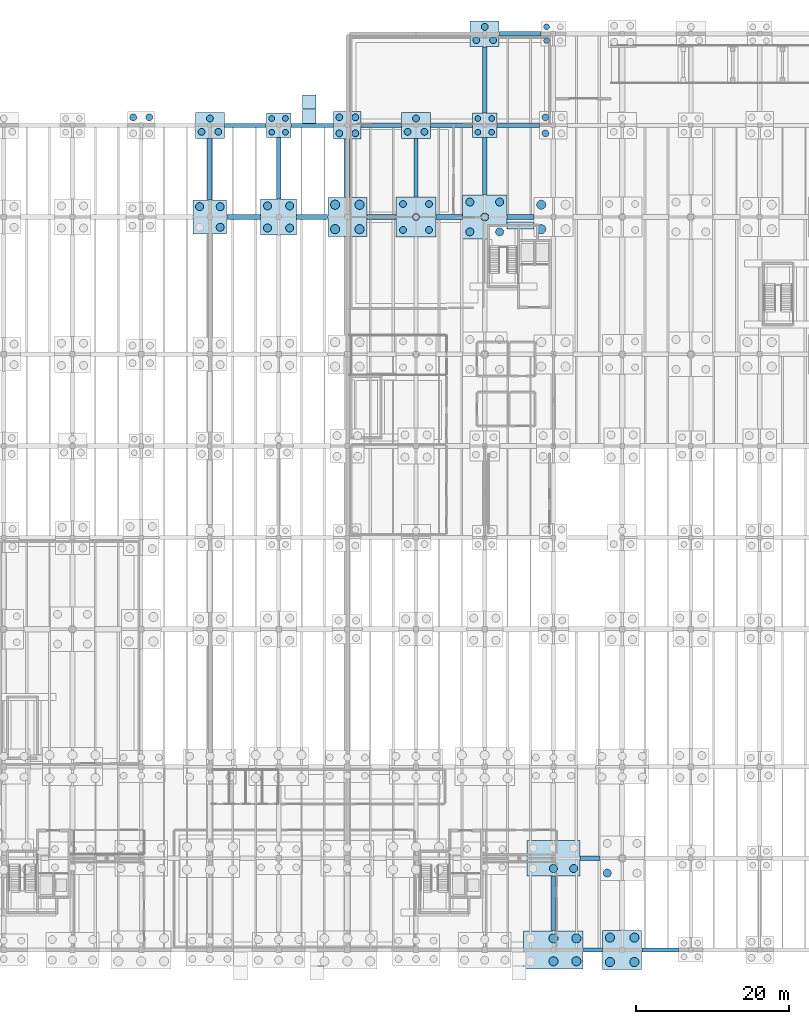
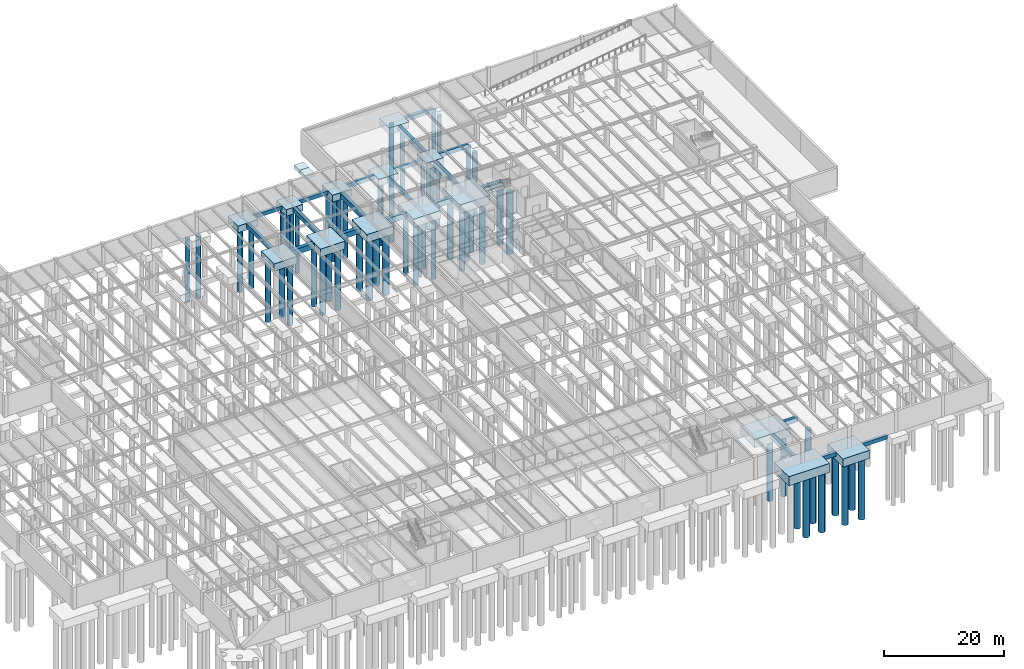
# One storey, part 9 of 40: 61 piles, 38 footings.
"""IFC4 building model written with IfcOpenShell, lengths in metres."""

from ifc_helpers import new_model, si_unit, direction, frame, origin, origin_2d, place, context, subcontext, project, spatial, polyline, rectangle, circle, outline, extrude, material, material_profile, profile_set, type_object, element, save


model = new_model("IFC4")

# Units and contexts
model_context = context("Model", 3, precision=1e-05, world=origin(), true_north=direction((0.0, 1.0)))
body_context = subcontext(model_context, "Body", "Model", "MODEL_VIEW")
ifc_project = project(units=[si_unit("LENGTHUNIT", "METRE"), si_unit("AREAUNIT", "SQUARE_METRE"), si_unit("VOLUMEUNIT", "CUBIC_METRE"), si_unit("PLANEANGLEUNIT", "RADIAN"), si_unit("MASSUNIT", "GRAM", prefix="KILO")], contexts=[model_context])

# Site, building, storey
site_placement = place(None, origin())
site = spatial("IfcSite", under=ifc_project, at=site_placement, CompositionType="ELEMENT")
building_placement = place(site_placement, origin())
building = spatial("IfcBuilding", under=site, at=building_placement, Name="Montelvaro Courts of Justice", CompositionType="ELEMENT")
storey_placement = place(building_placement, frame((0.0, 0.0, -4.5)))
storey = spatial("IfcBuildingStorey", under=building, at=storey_placement, Name="B01", CompositionType="ELEMENT", Elevation=-4.5)

# Piles
ifc_material = material(Name="Concrete C35/45", Category="concrete")
ifc_material_profile_1 = material_profile(ifc_material, circle(Radius=0.52490234375, at=origin_2d()), Name="BORED PILE D1050")
ifc_profile_set_1 = profile_set([ifc_material_profile_1], Name="Concrete C35/45")
pile_type_1 = type_object("IfcPileType", Name="BoredPile_1050", PredefinedType="BORED", material=ifc_profile_set_1)
for number, where, z_axis, x_axis, name in (
    (1, (82.35009765625, 94.64990234375, -1.39990234375), (0.0, 0.0, -1.0), (1.0, 0.0, 0.0), "Bored Pile BP-03 10/H-2"),
    (2, (79.64990234375, 97.35009765625, -1.39990234375), (0.0, 0.0, -1.0), (1.0, 0.0, 0.0), "Bored Pile BP-03 10/H-3"),
    (3, (82.35009765625, 97.35009765625, -1.39990234375), (0.0, 0.0, -1.0), (1.0, 0.0, 0.0), "Bored Pile BP-03 10/H-4"),
):
    element("IfcPile", number, at=place(storey_placement, frame(where, z_axis=z_axis, x_axis=x_axis)), inside=storey, type_object=pile_type_1, Name=name, PredefinedType="BORED", context=body_context, shape_type="SweptSolid", body=[
        extrude(circle(Radius=0.52490234375, at=origin_2d()), origin(), (0.0, 0.0, 1.0), 12.60009765625),
    ])
for number, where, z_axis, x_axis, name in (
    (4, (88.550048828125, 94.550048828125, -1.5), (0.0, 0.0, -1.0), (1.0, 0.0, 0.0), "Bored Pile BP-03 11/H-1"),
    (5, (91.449951171875, 94.550048828125, -1.5), (0.0, 0.0, -1.0), (1.0, 0.0, 0.0), "Bored Pile BP-03 11/H-2"),
    (6, (88.550048828125, 97.449951171875, -1.5), (0.0, 0.0, -1.0), (1.0, 0.0, 0.0), "Bored Pile BP-03 11/H-3"),
    (7, (91.449951171875, 97.449951171875, -1.5), (0.0, 0.0, -1.0), (1.0, 0.0, 0.0), "Bored Pile BP-03 11/H-4"),
):
    element("IfcPile", number, at=place(storey_placement, frame(where, z_axis=z_axis, x_axis=x_axis)), inside=storey, type_object=pile_type_1, Name=name, PredefinedType="BORED", context=body_context, shape_type="SweptSolid", body=[
        extrude(circle(Radius=0.52490234375, at=origin_2d()), origin(), (0.0, 0.0, 1.0), 12.5),
    ])
for number, where, z_axis, x_axis, name in (
    (8, (115.050048828125, 94.050048828125, -1.60009765625), (0.0, 0.0, -1.0), (1.0, 0.0, 0.0), "Bored Pile BP-03 14/H-1"),
    (9, (118.949951171875, 94.050048828125, -1.60009765625), (0.0, 0.0, -1.0), (1.0, 0.0, 0.0), "Bored Pile BP-03 14/H-2"),
    (10, (117.0, 96.0, -1.60009765625), (0.0, 0.0, -1.0), (1.0, 0.0, 0.0), "Bored Pile BP-03 14/H-3"),
    (11, (115.050048828125, 97.949951171875, -1.60009765625), (0.0, 0.0, -1.0), (1.0, 0.0, 0.0), "Bored Pile BP-03 14/H-4"),
    (12, (118.949951171875, 97.949951171875, -1.60009765625), (0.0, 0.0, -1.0), (1.0, 0.0, 0.0), "Bored Pile BP-03 14/H-5"),
):
    element("IfcPile", number, at=place(storey_placement, frame(where, z_axis=z_axis, x_axis=x_axis)), inside=storey, type_object=pile_type_1, Name=name, PredefinedType="BORED", context=body_context, shape_type="SweptSolid", body=[
        extrude(circle(Radius=0.52490234375, at=origin_2d()), origin(), (0.0, 0.0, 1.0), 12.39990234375),
    ])
for number, where, z_axis, x_axis, name in (
    (13, (126.0, 10.64990234375, -1.64990234375), (0.0, 0.0, -1.0), (1.0, 0.0, 0.0), "Bored Pile BP-03 15/B-2"),
    (14, (128.64990234375, 10.64990234375, -1.64990234375), (0.0, 0.0, -1.0), (1.0, 0.0, 0.0), "Bored Pile BP-03 15/B-3"),
):
    element("IfcPile", number, at=place(storey_placement, frame(where, z_axis=z_axis, x_axis=x_axis)), inside=storey, type_object=pile_type_1, Name=name, PredefinedType="BORED", context=body_context, shape_type="SweptSolid", body=[
        extrude(circle(Radius=0.52490234375, at=origin_2d()), origin(), (0.0, 0.0, 1.0), 12.35009765625),
    ])
pile_placement = place(storey_placement, frame((133.050048828125, 10.050048828125, -1.60009765625), z_axis=(0.0, 0.0, -1.0), x_axis=(1.0, 0.0, 0.0)))
element("IfcPile", 15, at=pile_placement, inside=storey, type_object=pile_type_1, Name="Bored Pile BP-03 16/B-1", PredefinedType="BORED", context=body_context, shape_type="SweptSolid", body=[
    extrude(circle(Radius=0.52490234375, at=origin_2d()), origin(), (0.0, 0.0, 1.0), 12.39990234375),
])
ifc_material_profile_2 = material_profile(ifc_material, circle(Radius=0.60009765625, at=origin_2d()), Name="BORED PILE D1200")
ifc_profile_set_2 = profile_set([ifc_material_profile_2], Name="Concrete C35/45")
pile_type_2 = type_object("IfcPileType", Name="BoredPile_1200", PredefinedType="BORED", material=ifc_profile_set_2)
for number, where, z_axis, x_axis, name in (
    (16, (97.39990234375, 94.39990234375, -1.550048828125), (0.0, 0.0, -1.0), (1.0, 0.0, 0.0), "Bored Pile BP-04 12/H-1"),
    (17, (100.60009765625, 94.39990234375, -1.550048828125), (0.0, 0.0, -1.0), (1.0, 0.0, 0.0), "Bored Pile BP-04 12/H-2"),
    (18, (97.39990234375, 97.60009765625, -1.550048828125), (0.0, 0.0, -1.0), (1.0, 0.0, 0.0), "Bored Pile BP-04 12/H-3"),
    (19, (100.60009765625, 97.60009765625, -1.550048828125), (0.0, 0.0, -1.0), (1.0, 0.0, 0.0), "Bored Pile BP-04 12/H-4"),
):
    element("IfcPile", number, at=place(storey_placement, frame(where, z_axis=z_axis, x_axis=x_axis)), inside=storey, type_object=pile_type_2, Name=name, PredefinedType="BORED", context=body_context, shape_type="SweptSolid", body=[
        extrude(circle(Radius=0.60009765625, at=origin_2d()), origin(), (0.0, 0.0, 1.0), 12.449951171875),
    ])
for number, where, z_axis, x_axis, name in (
    (20, (126.0, -1.5, -1.75), (0.0, 0.0, -1.0), (1.0, 0.0, 0.0), "Bored Pile BP-04 15/A-2"),
    (21, (129.0, -1.5, -1.75), (0.0, 0.0, -1.0), (1.0, 0.0, 0.0), "Bored Pile BP-04 15/A-3"),
    (22, (126.0, 1.5, -1.75), (0.0, 0.0, -1.0), (1.0, 0.0, 0.0), "Bored Pile BP-04 15/A-5"),
    (23, (129.0, 1.5, -1.75), (0.0, 0.0, -1.0), (1.0, 0.0, 0.0), "Bored Pile BP-04 15/A-6"),
):
    element("IfcPile", number, at=place(storey_placement, frame(where, z_axis=z_axis, x_axis=x_axis)), inside=storey, type_object=pile_type_2, Name=name, PredefinedType="BORED", context=body_context, shape_type="SweptSolid", body=[
        extrude(circle(Radius=0.60009765625, at=origin_2d()), origin(), (0.0, 0.0, 1.0), 12.25),
    ])
for number, where, z_axis, x_axis, name in (
    (24, (124.39990234375, 94.39990234375, -1.550048828125), (0.0, 0.0, -1.0), (1.0, 0.0, 0.0), "Bored Pile BP-04 15/H-1"),
    (25, (124.39990234375, 97.60009765625, -1.550048828125), (0.0, 0.0, -1.0), (1.0, 0.0, 0.0), "Bored Pile BP-04 15/H-3"),
    (26, (133.39990234375, -1.60009765625, -1.550048828125), (0.0, 0.0, -1.0), (1.0, 0.0, 0.0), "Bored Pile BP-04 16/A-1"),
    (27, (136.60009765625, -1.60009765625, -1.550048828125), (0.0, 0.0, -1.0), (1.0, 0.0, 0.0), "Bored Pile BP-04 16/A-2"),
    (28, (133.39990234375, 1.60009765625, -1.550048828125), (0.0, 0.0, -1.0), (1.0, 0.0, 0.0), "Bored Pile BP-04 16/A-3"),
    (29, (136.60009765625, 1.60009765625, -1.550048828125), (0.0, 0.0, -1.0), (1.0, 0.0, 0.0), "Bored Pile BP-04 16/A-4"),
):
    element("IfcPile", number, at=place(storey_placement, frame(where, z_axis=z_axis, x_axis=x_axis)), inside=storey, type_object=pile_type_2, Name=name, PredefinedType="BORED", context=body_context, shape_type="SweptSolid", body=[
        extrude(circle(Radius=0.60009765625, at=origin_2d()), origin(), (0.0, 0.0, 1.0), 12.449951171875),
    ])
ifc_material_profile_3 = material_profile(ifc_material, circle(Radius=0.375, at=origin_2d()), Name="BORED PILE D750")
ifc_profile_set_3 = profile_set([ifc_material_profile_3], Name="Concrete C35/45")
pile_type_3 = type_object("IfcPileType", Name="BoredPile_750", PredefinedType="BORED", material=ifc_profile_set_3)
for number, where, z_axis, x_axis, name in (
    (30, (89.10009765625, 107.10009765625, -1.199951171875), (0.0, 0.0, -1.0), (1.0, 0.0, 0.0), "Bored Pile BP-01 11/I-1"),
    (31, (90.89990234375, 107.10009765625, -1.199951171875), (0.0, 0.0, -1.0), (1.0, 0.0, 0.0), "Bored Pile BP-01 11/I-2"),
    (32, (89.10009765625, 108.89990234375, -1.199951171875), (0.0, 0.0, -1.0), (1.0, 0.0, 0.0), "Bored Pile BP-01 11/I-3"),
    (33, (90.89990234375, 108.89990234375, -1.199951171875), (0.0, 0.0, -1.0), (1.0, 0.0, 0.0), "Bored Pile BP-01 11/I-4"),
    (34, (116.10009765625, 107.10009765625, -1.199951171875), (0.0, 0.0, -1.0), (1.0, 0.0, 0.0), "Bored Pile BP-01 14/I-1"),
    (35, (117.89990234375, 107.10009765625, -1.199951171875), (0.0, 0.0, -1.0), (1.0, 0.0, 0.0), "Bored Pile BP-01 14/I-2"),
    (36, (116.10009765625, 108.89990234375, -1.199951171875), (0.0, 0.0, -1.0), (1.0, 0.0, 0.0), "Bored Pile BP-01 14/I-3"),
    (37, (117.89990234375, 108.89990234375, -1.199951171875), (0.0, 0.0, -1.0), (1.0, 0.0, 0.0), "Bored Pile BP-01 14/I-4"),
    (38, (125.10009765625, 119.10009765625, -1.199951171875), (0.0, 0.0, -1.0), (1.0, 0.0, 0.0), "Bored Pile BP-01 15/J-1"),
    (39, (125.10009765625, 120.89990234375, -1.199951171875), (0.0, 0.0, -1.0), (1.0, 0.0, 0.0), "Bored Pile BP-01 15/J-3"),
):
    element("IfcPile", number, at=place(storey_placement, frame(where, z_axis=z_axis, x_axis=x_axis)), inside=storey, type_object=pile_type_3, Name=name, PredefinedType="BORED", context=body_context, shape_type="SweptSolid", body=[
        extrude(circle(Radius=0.375, at=origin_2d()), origin(), (0.0, 0.0, 1.0), 12.800048828125),
    ])
ifc_material_profile_4 = material_profile(ifc_material, circle(Radius=0.449951171875, at=origin_2d()), Name="BORED PILE D900")
ifc_profile_set_4 = profile_set([ifc_material_profile_4], Name="Concrete C35/45")
pile_type_4 = type_object("IfcPileType", Name="BoredPile_900", PredefinedType="BORED", material=ifc_profile_set_4)
for number, where, z_axis, x_axis, name in (
    (40, (70.949951171875, 109.050048828125, -1.300048828125), (0.0, 0.0, -1.0), (1.0, 0.0, 0.0), "Bored Pile BP-02 9/I-3"),
    (41, (73.050048828125, 109.050048828125, -1.300048828125), (0.0, 0.0, -1.0), (1.0, 0.0, 0.0), "Bored Pile BP-02 9/I-4"),
):
    element("IfcPile", number, at=place(storey_placement, frame(where, z_axis=z_axis, x_axis=x_axis)), inside=storey, type_object=pile_type_4, Name=name, PredefinedType="BORED", context=body_context, shape_type="SweptSolid", body=[
        extrude(circle(Radius=0.449951171875, at=origin_2d()), origin(), (0.0, 0.0, 1.0), 12.699951171875),
    ])
for number, where, z_axis, x_axis, name in (
    (42, (79.89990234375, 107.14990234375, -1.25), (0.0, 0.0, -1.0), (1.0, 0.0, 0.0), "Bored Pile BP-02 10/I-1"),
    (43, (82.10009765625, 107.14990234375, -1.25), (0.0, 0.0, -1.0), (1.0, 0.0, 0.0), "Bored Pile BP-02 10/I-2"),
    (44, (81.0, 108.89990234375, -1.25), (0.0, 0.0, -1.0), (1.0, 0.0, 0.0), "Bored Pile BP-02 10/I-3"),
):
    element("IfcPile", number, at=place(storey_placement, frame(where, z_axis=z_axis, x_axis=x_axis)), inside=storey, type_object=pile_type_4, Name=name, PredefinedType="BORED", context=body_context, shape_type="SweptSolid", body=[
        extrude(circle(Radius=0.449951171875, at=origin_2d()), origin(), (0.0, 0.0, 1.0), 12.75),
    ])
for number, where, z_axis, x_axis, name in (
    (45, (97.949951171875, 106.949951171875, -1.300048828125), (0.0, 0.0, -1.0), (1.0, 0.0, 0.0), "Bored Pile BP-02 12/I-1"),
    (46, (100.050048828125, 106.949951171875, -1.300048828125), (0.0, 0.0, -1.0), (1.0, 0.0, 0.0), "Bored Pile BP-02 12/I-2"),
    (47, (97.949951171875, 109.050048828125, -1.300048828125), (0.0, 0.0, -1.0), (1.0, 0.0, 0.0), "Bored Pile BP-02 12/I-3"),
    (48, (100.050048828125, 109.050048828125, -1.300048828125), (0.0, 0.0, -1.0), (1.0, 0.0, 0.0), "Bored Pile BP-02 12/I-4"),
):
    element("IfcPile", number, at=place(storey_placement, frame(where, z_axis=z_axis, x_axis=x_axis)), inside=storey, type_object=pile_type_4, Name=name, PredefinedType="BORED", context=body_context, shape_type="SweptSolid", body=[
        extrude(circle(Radius=0.449951171875, at=origin_2d()), origin(), (0.0, 0.0, 1.0), 12.699951171875),
    ])
for number, where, z_axis, x_axis, name in (
    (49, (106.300048828125, 94.300048828125, -1.5), (0.0, 0.0, -1.0), (1.0, 0.0, 0.0), "Bored Pile BP-02 13/H-1"),
    (50, (109.699951171875, 94.300048828125, -1.5), (0.0, 0.0, -1.0), (1.0, 0.0, 0.0), "Bored Pile BP-02 13/H-2"),
    (51, (108.0, 96.0, -1.5), (0.0, 0.0, -1.0), (1.0, 0.0, 0.0), "Bored Pile BP-02 13/H-3"),
    (52, (106.300048828125, 97.699951171875, -1.5), (0.0, 0.0, -1.0), (1.0, 0.0, 0.0), "Bored Pile BP-02 13/H-4"),
    (53, (109.699951171875, 97.699951171875, -1.5), (0.0, 0.0, -1.0), (1.0, 0.0, 0.0), "Bored Pile BP-02 13/H-5"),
):
    element("IfcPile", number, at=place(storey_placement, frame(where, z_axis=z_axis, x_axis=x_axis)), inside=storey, type_object=pile_type_4, Name=name, PredefinedType="BORED", context=body_context, shape_type="SweptSolid", body=[
        extrude(circle(Radius=0.449951171875, at=origin_2d()), origin(), (0.0, 0.0, 1.0), 12.5),
    ])
for number, where, z_axis, x_axis, name in (
    (54, (106.89990234375, 107.14990234375, -1.25), (0.0, 0.0, -1.0), (1.0, 0.0, 0.0), "Bored Pile BP-02 13/I-1"),
    (55, (109.10009765625, 107.14990234375, -1.25), (0.0, 0.0, -1.0), (1.0, 0.0, 0.0), "Bored Pile BP-02 13/I-2"),
    (56, (108.0, 108.89990234375, -1.25), (0.0, 0.0, -1.0), (1.0, 0.0, 0.0), "Bored Pile BP-02 13/I-3"),
    (57, (115.89990234375, 119.14990234375, -1.25), (0.0, 0.0, -1.0), (1.0, 0.0, 0.0), "Bored Pile BP-02 14/J-1"),
    (58, (118.10009765625, 119.14990234375, -1.25), (0.0, 0.0, -1.0), (1.0, 0.0, 0.0), "Bored Pile BP-02 14/J-2"),
    (59, (117.0, 120.89990234375, -1.25), (0.0, 0.0, -1.0), (1.0, 0.0, 0.0), "Bored Pile BP-02 14/J-3"),
):
    element("IfcPile", number, at=place(storey_placement, frame(where, z_axis=z_axis, x_axis=x_axis)), inside=storey, type_object=pile_type_4, Name=name, PredefinedType="BORED", context=body_context, shape_type="SweptSolid", body=[
        extrude(circle(Radius=0.449951171875, at=origin_2d()), origin(), (0.0, 0.0, 1.0), 12.75),
    ])
for number, where, z_axis, x_axis, name in (
    (60, (124.949951171875, 106.949951171875, -1.300048828125), (0.0, 0.0, -1.0), (1.0, 0.0, 0.0), "Bored Pile BP-02 15/I-1"),
    (61, (124.949951171875, 109.050048828125, -1.300048828125), (0.0, 0.0, -1.0), (1.0, 0.0, 0.0), "Bored Pile BP-02 15/I-3"),
):
    element("IfcPile", number, at=place(storey_placement, frame(where, z_axis=z_axis, x_axis=x_axis)), inside=storey, type_object=pile_type_4, Name=name, PredefinedType="BORED", context=body_context, shape_type="SweptSolid", body=[
        extrude(circle(Radius=0.449951171875, at=origin_2d()), origin(), (0.0, 0.0, 1.0), 12.699951171875),
    ])

# Footings
footing_type_1 = type_object("IfcFootingType", Name="GroundBeam_500x800", PredefinedType="FOOTING_BEAM", material=ifc_material)
footing_1_placement = place(storey_placement, frame((0.0, 0.0, -0.800048828125)))
element("IfcFooting", 62, at=footing_1_placement, inside=storey, type_object=footing_type_1, Name="Foundation Ground Beam GB-01", PredefinedType="FOOTING_BEAM", context=body_context, shape_type="SweptSolid", body=[
    extrude(outline(polyline([(129.919921875, -0.25), (132.429931640625, -0.25), (132.429931640625, 0.25), (129.919921875, 0.25), (129.919921875, -0.25)])), origin(), (0.0, 0.0, 1.0), 0.800048828125),
])
footing_2_placement = place(storey_placement, frame((0.0, 0.0, -0.800048828125)))
element("IfcFooting", 63, at=footing_2_placement, inside=storey, type_object=footing_type_1, Name="Foundation Ground Beam GB-01", PredefinedType="FOOTING_BEAM", context=body_context, shape_type="SweptSolid", body=[
    extrude(outline(polyline([(137.570068359375, -0.25), (142.3798828125, -0.25), (142.3798828125, 0.25), (137.570068359375, 0.25), (137.570068359375, -0.25)])), origin(), (0.0, 0.0, 1.0), 0.800048828125),
])
footing_3_placement = place(storey_placement, frame((0.0, 0.0, -0.800048828125)))
element("IfcFooting", 64, at=footing_3_placement, inside=storey, type_object=footing_type_1, Name="Foundation Ground Beam GB-01", PredefinedType="FOOTING_BEAM", context=body_context, shape_type="SweptSolid", body=[
    extrude(outline(polyline([(82.919921875, 107.75), (88.3798828125, 107.75), (88.3798828125, 108.25), (82.919921875, 108.25), (82.919921875, 107.75)])), origin(), (0.0, 0.0, 1.0), 0.800048828125),
])
footing_4_placement = place(storey_placement, frame((0.0, 0.0, -0.800048828125)))
element("IfcFooting", 65, at=footing_4_placement, inside=storey, type_object=footing_type_1, Name="Foundation Ground Beam GB-01", PredefinedType="FOOTING_BEAM", context=body_context, shape_type="SweptSolid", body=[
    extrude(outline(polyline([(91.6201171875, 107.75), (97.179931640625, 107.75), (97.179931640625, 108.25), (91.6201171875, 108.25), (91.6201171875, 107.75)])), origin(), (0.0, 0.0, 1.0), 0.800048828125),
])
footing_5_placement = place(storey_placement, frame((0.0, 0.0, -0.800048828125)))
element("IfcFooting", 66, at=footing_5_placement, inside=storey, type_object=footing_type_1, Name="Foundation Ground Beam GB-01", PredefinedType="FOOTING_BEAM", context=body_context, shape_type="SweptSolid", body=[
    extrude(outline(polyline([(100.820068359375, 107.75), (106.080078125, 107.75), (106.080078125, 108.25), (100.820068359375, 108.25), (100.820068359375, 107.75)])), origin(), (0.0, 0.0, 1.0), 0.800048828125),
])
footing_6_placement = place(storey_placement, frame((0.0, 0.0, -0.800048828125)))
element("IfcFooting", 67, at=footing_6_placement, inside=storey, type_object=footing_type_1, Name="Foundation Ground Beam GB-01", PredefinedType="FOOTING_BEAM", context=body_context, shape_type="SweptSolid", body=[
    extrude(outline(polyline([(109.919921875, 107.75), (115.3798828125, 107.75), (115.3798828125, 108.25), (109.919921875, 108.25), (109.919921875, 107.75)])), origin(), (0.0, 0.0, 1.0), 0.800048828125),
])
footing_7_placement = place(storey_placement, frame((0.0, 0.0, -0.800048828125)))
element("IfcFooting", 68, at=footing_7_placement, inside=storey, type_object=footing_type_1, Name="Foundation Ground Beam GB-01", PredefinedType="FOOTING_BEAM", context=body_context, shape_type="SweptSolid", body=[
    extrude(outline(polyline([(118.6201171875, 107.75), (124.179931640625, 107.75), (124.179931640625, 108.25), (118.6201171875, 108.25), (118.6201171875, 107.75)])), origin(), (0.0, 0.0, 1.0), 0.800048828125),
])
footing_8_placement = place(storey_placement, frame((0.0, 0.0, -0.800048828125)))
element("IfcFooting", 69, at=footing_8_placement, inside=storey, type_object=footing_type_1, Name="Foundation Ground Beam GB-01", PredefinedType="FOOTING_BEAM", context=body_context, shape_type="SweptSolid", body=[
    extrude(outline(polyline([(107.75, 98.6201171875), (108.25, 98.6201171875), (108.25, 106.280029296875), (107.75, 106.280029296875), (107.75, 98.6201171875)])), origin(), (0.0, 0.0, 1.0), 0.800048828125),
])
footing_type_2 = type_object("IfcFootingType", Name="GroundBeam_600x1000", PredefinedType="FOOTING_BEAM", material=ifc_material)
footing_9_placement = place(storey_placement, frame((0.0, 0.0, -1.0)))
element("IfcFooting", 70, at=footing_9_placement, inside=storey, type_object=footing_type_2, Name="Foundation Ground Beam GB-03", PredefinedType="FOOTING_BEAM", context=body_context, shape_type="SweptSolid", body=[
    extrude(outline(polyline([(89.699951171875, 98.3701171875), (90.300048828125, 98.3701171875), (90.300048828125, 106.3798828125), (89.699951171875, 106.3798828125), (89.699951171875, 98.3701171875)])), origin(), (0.0, 0.0, 1.0), 1.0),
])
footing_10_placement = place(storey_placement, frame((0.0, 0.0, -1.0)))
element("IfcFooting", 71, at=footing_10_placement, inside=storey, type_object=footing_type_2, Name="Foundation Ground Beam GB-03", PredefinedType="FOOTING_BEAM", context=body_context, shape_type="SweptSolid", body=[
    extrude(outline(polyline([(125.699951171875, 2.52001953125), (126.300048828125, 2.52001953125), (126.300048828125, 9.679931640625), (125.699951171875, 9.679931640625), (125.699951171875, 2.52001953125)])), origin(), (0.0, 0.0, 1.0), 1.0),
])
footing_type_3 = type_object("IfcFootingType", Name="GroundBeam_600x900", PredefinedType="FOOTING_BEAM", material=ifc_material)
footing_11_placement = place(storey_placement, frame((0.0, 0.0, -0.89990234375)))
element("IfcFooting", 72, at=footing_11_placement, inside=storey, type_object=footing_type_3, Name="Foundation Ground Beam GB-02", PredefinedType="FOOTING_BEAM", context=body_context, shape_type="SweptSolid", body=[
    extrude(outline(polyline([(129.469970703125, 11.699951171875), (132.080078125, 11.699951171875), (132.080078125, 12.300048828125), (129.469970703125, 12.300048828125), (129.469970703125, 11.699951171875)])), origin(), (0.0, 0.0, 1.0), 0.89990234375),
])
footing_12_placement = place(storey_placement, frame((0.0, 0.0, -0.89990234375)))
element("IfcFooting", 73, at=footing_12_placement, inside=storey, type_object=footing_type_3, Name="Foundation Ground Beam GB-02", PredefinedType="FOOTING_BEAM", context=body_context, shape_type="SweptSolid", body=[
    extrude(outline(polyline([(118.919921875, 119.699951171875), (124.3798828125, 119.699951171875), (124.3798828125, 120.300048828125), (118.919921875, 120.300048828125), (118.919921875, 119.699951171875)])), origin(), (0.0, 0.0, 1.0), 0.89990234375),
])
footing_13_placement = place(storey_placement, frame((0.0, 0.0, -0.89990234375)))
element("IfcFooting", 74, at=footing_13_placement, inside=storey, type_object=footing_type_3, Name="Foundation Ground Beam GB-02", PredefinedType="FOOTING_BEAM", context=body_context, shape_type="SweptSolid", body=[
    extrude(outline(polyline([(80.699951171875, 98.219970703125), (81.300048828125, 98.219970703125), (81.300048828125, 106.280029296875), (80.699951171875, 106.280029296875), (80.699951171875, 98.219970703125)])), origin(), (0.0, 0.0, 1.0), 0.89990234375),
])
footing_14_placement = place(storey_placement, frame((0.0, 0.0, -0.89990234375)))
element("IfcFooting", 75, at=footing_14_placement, inside=storey, type_object=footing_type_3, Name="Foundation Ground Beam GB-02", PredefinedType="FOOTING_BEAM", context=body_context, shape_type="SweptSolid", body=[
    extrude(outline(polyline([(116.699951171875, 98.919921875), (117.300048828125, 98.919921875), (117.300048828125, 106.3798828125), (116.699951171875, 106.3798828125), (116.699951171875, 98.919921875)])), origin(), (0.0, 0.0, 1.0), 0.89990234375),
])
footing_15_placement = place(storey_placement, frame((0.0, 0.0, -0.89990234375)))
element("IfcFooting", 76, at=footing_15_placement, inside=storey, type_object=footing_type_3, Name="Foundation Ground Beam GB-02", PredefinedType="FOOTING_BEAM", context=body_context, shape_type="SweptSolid", body=[
    extrude(outline(polyline([(116.699951171875, 109.6201171875), (117.300048828125, 109.6201171875), (117.300048828125, 118.280029296875), (116.699951171875, 118.280029296875), (116.699951171875, 109.6201171875)])), origin(), (0.0, 0.0, 1.0), 0.89990234375),
])
footing_type_4 = type_object("IfcFootingType", Name="GroundBeam_700x1100", PredefinedType="FOOTING_BEAM", material=ifc_material)
footing_16_placement = place(storey_placement, frame((0.0, 0.0, -1.10009765625)))
element("IfcFooting", 77, at=footing_16_placement, inside=storey, type_object=footing_type_4, Name="Foundation Ground Beam GB-04", PredefinedType="FOOTING_BEAM", context=body_context, shape_type="SweptSolid", body=[
    extrude(outline(polyline([(83.219970703125, 95.64990234375), (87.6298828125, 95.64990234375), (87.6298828125, 96.35009765625), (83.219970703125, 96.35009765625), (83.219970703125, 95.64990234375)])), origin(), (0.0, 0.0, 1.0), 1.10009765625),
])
footing_17_placement = place(storey_placement, frame((0.0, 0.0, -1.10009765625)))
element("IfcFooting", 78, at=footing_17_placement, inside=storey, type_object=footing_type_4, Name="Foundation Ground Beam GB-04", PredefinedType="FOOTING_BEAM", context=body_context, shape_type="SweptSolid", body=[
    extrude(outline(polyline([(92.3701171875, 95.64990234375), (96.429931640625, 95.64990234375), (96.429931640625, 96.35009765625), (92.3701171875, 96.35009765625), (92.3701171875, 95.64990234375)])), origin(), (0.0, 0.0, 1.0), 1.10009765625),
])
footing_18_placement = place(storey_placement, frame((0.0, 0.0, -1.10009765625)))
element("IfcFooting", 79, at=footing_18_placement, inside=storey, type_object=footing_type_4, Name="Foundation Ground Beam GB-04", PredefinedType="FOOTING_BEAM", context=body_context, shape_type="SweptSolid", body=[
    extrude(outline(polyline([(101.570068359375, 95.64990234375), (105.3798828125, 95.64990234375), (105.3798828125, 96.35009765625), (101.570068359375, 96.35009765625), (101.570068359375, 95.64990234375)])), origin(), (0.0, 0.0, 1.0), 1.10009765625),
])
footing_19_placement = place(storey_placement, frame((0.0, 0.0, -1.10009765625)))
element("IfcFooting", 80, at=footing_19_placement, inside=storey, type_object=footing_type_4, Name="Foundation Ground Beam GB-04", PredefinedType="FOOTING_BEAM", context=body_context, shape_type="SweptSolid", body=[
    extrude(outline(polyline([(110.6201171875, 95.64990234375), (114.080078125, 95.64990234375), (114.080078125, 96.35009765625), (110.6201171875, 96.35009765625), (110.6201171875, 95.64990234375)])), origin(), (0.0, 0.0, 1.0), 1.10009765625),
])
footing_20_placement = place(storey_placement, frame((0.0, 0.0, -1.10009765625)))
element("IfcFooting", 81, at=footing_20_placement, inside=storey, type_object=footing_type_4, Name="Foundation Ground Beam GB-04", PredefinedType="FOOTING_BEAM", context=body_context, shape_type="SweptSolid", body=[
    extrude(outline(polyline([(119.919921875, 95.64990234375), (123.429931640625, 95.64990234375), (123.429931640625, 96.35009765625), (119.919921875, 96.35009765625), (119.919921875, 95.64990234375)])), origin(), (0.0, 0.0, 1.0), 1.10009765625),
])
footing_21_placement = place(storey_placement, frame((0.0, 0.0, -1.10009765625)))
element("IfcFooting", 82, at=footing_21_placement, inside=storey, type_object=footing_type_4, Name="Foundation Ground Beam GB-04", PredefinedType="FOOTING_BEAM", context=body_context, shape_type="SweptSolid", body=[
    extrude(outline(polyline([(98.64990234375, 98.570068359375), (99.35009765625, 98.570068359375), (99.35009765625, 106.179931640625), (98.64990234375, 106.179931640625), (98.64990234375, 98.570068359375)])), origin(), (0.0, 0.0, 1.0), 1.10009765625),
])
footing_type_5 = type_object("IfcFootingType", Name="PadFooting_180x180x70", PredefinedType="PAD_FOOTING", material=ifc_material)
for number, where, z_axis, x_axis, name in (
    (83, (94.0, 111.050048828125, 3.43017578125), (0.0, 0.0, 1.0), (1.0, 0.0, 0.0), "Accessible Ramp Toe Footing AR-05"),
    (84, (94.0, 109.14990234375, 3.43017578125), (0.0, 0.0, 1.0), (1.0, 0.0, 0.0), "Accessible Ramp Head Footing AR-05"),
):
    element("IfcFooting", number, at=place(storey_placement, frame(where, z_axis=z_axis, x_axis=x_axis)), inside=storey, type_object=footing_type_5, Name=name, PredefinedType="PAD_FOOTING", context=body_context, shape_type="SweptSolid", body=[
        extrude(rectangle(XDim=1.800048828125, YDim=1.800048828125, at=origin_2d()), origin(), (0.0, 0.0, 1.0), 0.699951171875),
    ])
footing_type_6 = type_object("IfcFootingType", Name="PileCap_3P_380x340x135", PredefinedType="PILE_CAP", material=ifc_material)
for number, where, z_axis, x_axis, name in (
    (85, (81.0, 108.0, -1.35009765625), (0.0, 0.0, 1.0), (1.0, 0.0, 0.0), "Pile Cap PC-07 at 10/I"),
    (86, (108.0, 108.0, -1.35009765625), (0.0, 0.0, 1.0), (1.0, 0.0, 0.0), "Pile Cap PC-07 at 13/I"),
    (87, (117.0, 120.0, -1.35009765625), (0.0, 0.0, 1.0), (1.0, 0.0, 0.0), "Pile Cap PC-07 at 14/J"),
):
    element("IfcFooting", number, at=place(storey_placement, frame(where, z_axis=z_axis, x_axis=x_axis)), inside=storey, type_object=footing_type_6, Name=name, PredefinedType="PILE_CAP", context=body_context, shape_type="SweptSolid", body=[
        extrude(rectangle(XDim=3.800048828125, YDim=3.39990234375, at=origin_2d()), origin(), (0.0, 0.0, 1.0), 1.35009765625),
    ])
footing_type_7 = type_object("IfcFootingType", Name="PileCap_4P_320x320x130", PredefinedType="PILE_CAP", material=ifc_material)
for number, where, z_axis, x_axis, name in (
    (88, (90.0, 108.0, -1.2998046875), (0.0, 0.0, 1.0), (1.0, 0.0, 0.0), "Pile Cap PC-08 at 11/I"),
    (89, (117.0, 108.0, -1.2998046875), (0.0, 0.0, 1.0), (1.0, 0.0, 0.0), "Pile Cap PC-08 at 14/I"),
):
    element("IfcFooting", number, at=place(storey_placement, frame(where, z_axis=z_axis, x_axis=x_axis)), inside=storey, type_object=footing_type_7, Name=name, PredefinedType="PILE_CAP", context=body_context, shape_type="SweptSolid", body=[
        extrude(rectangle(XDim=3.199951171875, YDim=3.199951171875, at=origin_2d()), origin(), (0.0, 0.0, 1.0), 1.300048828125),
    ])
footing_type_8 = type_object("IfcFootingType", Name="PileCap_4P_360x360x140", PredefinedType="PILE_CAP", material=ifc_material)
footing_22_placement = place(storey_placement, frame((99.0, 108.0, -1.39990234375), z_axis=(0.0, 0.0, 1.0), x_axis=(1.0, 0.0, 0.0)))
element("IfcFooting", 90, at=footing_22_placement, inside=storey, type_object=footing_type_8, Name="Pile Cap PC-09 at 12/I", PredefinedType="PILE_CAP", context=body_context, shape_type="SweptSolid", body=[
    extrude(rectangle(XDim=3.60009765625, YDim=3.60009765625, at=origin_2d()), origin(), (0.0, 0.0, 1.0), 1.39990234375),
])
footing_type_9 = type_object("IfcFootingType", Name="PileCap_4P_440x440x150", PredefinedType="PILE_CAP", material=ifc_material)
footing_23_placement = place(storey_placement, frame((81.0, 96.0, -1.5), z_axis=(0.0, 0.0, 1.0), x_axis=(1.0, 0.0, 0.0)))
element("IfcFooting", 91, at=footing_23_placement, inside=storey, type_object=footing_type_9, Name="Pile Cap PC-11 at 10/H", PredefinedType="PILE_CAP", context=body_context, shape_type="SweptSolid", body=[
    extrude(rectangle(XDim=4.39990234375, YDim=4.39990234375, at=origin_2d()), origin(), (0.0, 0.0, 1.0), 1.5),
])
footing_type_10 = type_object("IfcFootingType", Name="PileCap_4P_470x470x160", PredefinedType="PILE_CAP", material=ifc_material)
footing_24_placement = place(storey_placement, frame((90.0, 96.0, -1.60009765625), z_axis=(0.0, 0.0, 1.0), x_axis=(1.0, 0.0, 0.0)))
element("IfcFooting", 92, at=footing_24_placement, inside=storey, type_object=footing_type_10, Name="Pile Cap PC-12 at 11/H", PredefinedType="PILE_CAP", context=body_context, shape_type="SweptSolid", body=[
    extrude(rectangle(XDim=4.699951171875, YDim=4.699951171875, at=origin_2d()), origin(), (0.0, 0.0, 1.0), 1.60009765625),
])
footing_type_11 = type_object("IfcFootingType", Name="PileCap_4P_510x510x165", PredefinedType="PILE_CAP", material=ifc_material)
for number, where, z_axis, x_axis, name in (
    (93, (99.0, 96.0, -1.64990234375), (0.0, 0.0, 1.0), (1.0, 0.0, 0.0), "Pile Cap PC-13 at 12/H"),
    (94, (135.0, 0.0, -1.64990234375), (0.0, 0.0, 1.0), (1.0, 0.0, 0.0), "Pile Cap PC-13 at 16/A"),
):
    element("IfcFooting", number, at=place(storey_placement, frame(where, z_axis=z_axis, x_axis=x_axis)), inside=storey, type_object=footing_type_11, Name=name, PredefinedType="PILE_CAP", context=body_context, shape_type="SweptSolid", body=[
        extrude(rectangle(XDim=5.10009765625, YDim=5.10009765625, at=origin_2d()), origin(), (0.0, 0.0, 1.0), 1.64990234375),
    ])
footing_type_12 = type_object("IfcFootingType", Name="PileCap_5P_520x520x160", PredefinedType="PILE_CAP", material=ifc_material)
footing_25_placement = place(storey_placement, frame((108.0, 96.0, -1.60009765625), z_axis=(0.0, 0.0, 1.0), x_axis=(1.0, 0.0, 0.0)))
element("IfcFooting", 95, at=footing_25_placement, inside=storey, type_object=footing_type_12, Name="Pile Cap PC-14 at 13/H", PredefinedType="PILE_CAP", context=body_context, shape_type="SweptSolid", body=[
    extrude(rectangle(XDim=5.199951171875, YDim=5.199951171875, at=origin_2d()), origin(), (0.0, 0.0, 1.0), 1.60009765625),
])
footing_type_13 = type_object("IfcFootingType", Name="PileCap_5P_580x580x170", PredefinedType="PILE_CAP", material=ifc_material)
footing_26_placement = place(storey_placement, frame((117.0, 96.0, -1.7001953125), z_axis=(0.0, 0.0, 1.0), x_axis=(1.0, 0.0, 0.0)))
element("IfcFooting", 96, at=footing_26_placement, inside=storey, type_object=footing_type_13, Name="Pile Cap PC-15 at 14/H", PredefinedType="PILE_CAP", context=body_context, shape_type="SweptSolid", body=[
    extrude(rectangle(XDim=5.800048828125, YDim=5.800048828125, at=origin_2d()), origin(), (0.0, 0.0, 1.0), 1.699951171875),
])
footing_type_14 = type_object("IfcFootingType", Name="PileCap_6P_690x460x175", PredefinedType="PILE_CAP", material=ifc_material)
footing_27_placement = place(storey_placement, frame((126.0, 12.0, -1.75), z_axis=(0.0, 0.0, 1.0), x_axis=(1.0, 0.0, 0.0)))
element("IfcFooting", 97, at=footing_27_placement, inside=storey, type_object=footing_type_14, Name="Pile Cap PC-17 at 15/B", PredefinedType="PILE_CAP", context=body_context, shape_type="SweptSolid", body=[
    extrude(rectangle(XDim=6.89990234375, YDim=4.60009765625, at=origin_2d()), origin(), (0.0, 0.0, 1.0), 1.75),
])
footing_type_15 = type_object("IfcFootingType", Name="PileCap_6P_780x500x185", PredefinedType="PILE_CAP", material=ifc_material)
footing_28_placement = place(storey_placement, frame((126.0, 0.0, -1.85009765625), z_axis=(0.0, 0.0, 1.0), x_axis=(1.0, 0.0, 0.0)))
element("IfcFooting", 98, at=footing_28_placement, inside=storey, type_object=footing_type_15, Name="Pile Cap PC-18 at 15/A", PredefinedType="PILE_CAP", context=body_context, shape_type="SweptSolid", body=[
    extrude(rectangle(XDim=7.800048828125, YDim=5.0, at=origin_2d()), origin(), (0.0, 0.0, 1.0), 1.85009765625),
])
footing_type_16 = type_object("IfcFootingType", Name="StripFooting_900x700", PredefinedType="STRIP_FOOTING", material=ifc_material)
footing_29_placement = place(storey_placement, frame((0.0, 0.0, -0.699951171875)))
element("IfcFooting", 99, at=footing_29_placement, inside=storey, type_object=footing_type_16, Name="Stair and Plinth Strip Footing SFG-01-10", PredefinedType="STRIP_FOOTING", context=body_context, shape_type="SweptSolid", body=[
    extrude(outline(polyline([(119.919921875, 94.449951171875), (123.429931640625, 94.449951171875), (123.429931640625, 95.35009765625), (119.919921875, 95.35009765625), (119.919921875, 94.449951171875)])), origin(), (0.0, 0.0, 1.0), 0.699951171875),
])

save(model, "model.ifc")
